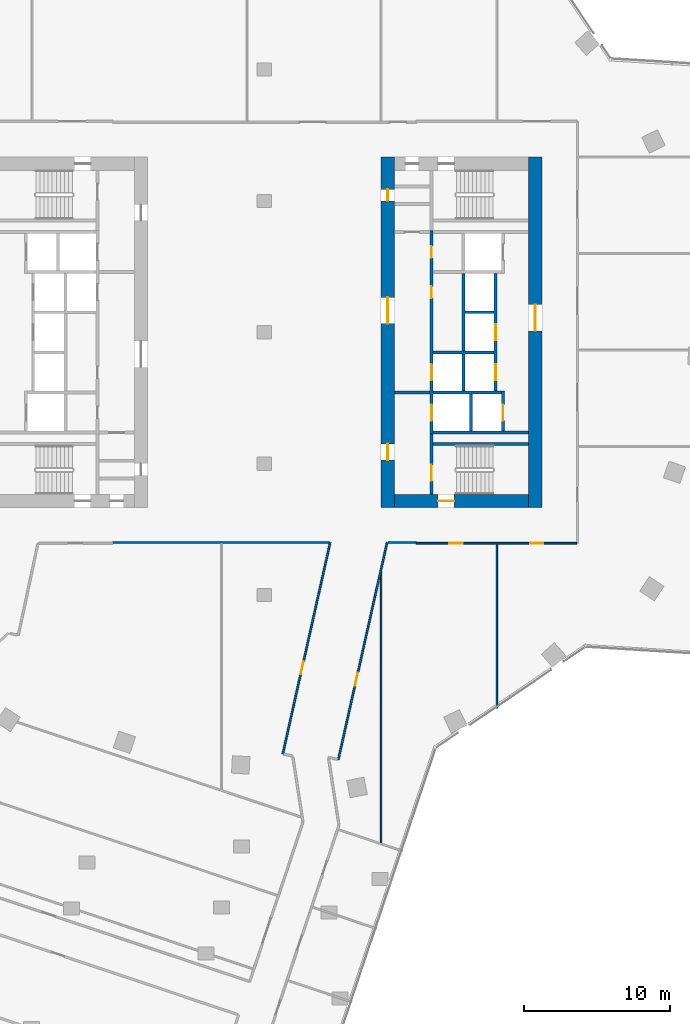
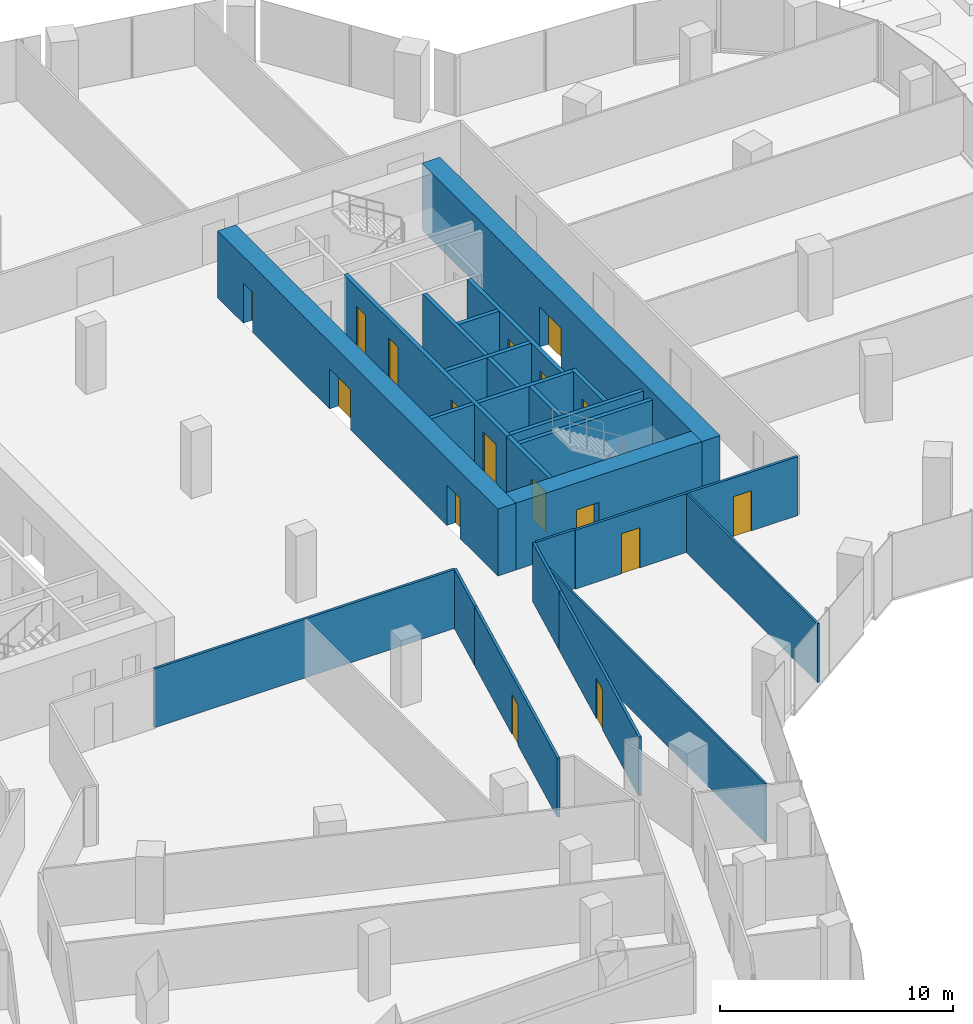
# One storey, part 21 of 26: 25 walls, 17 doors, 17 openings.
"""IFC4 building model written with IfcOpenShell, lengths in metres."""

from ifc_helpers import new_model, si_unit, direction, frame, frame_2d, origin, place, context, subcontext, project, spatial, rectangle, extrude, material, layer, layer_set, type_object, element, fill, save


model = new_model("IFC4")

# Units and contexts
model_context = context("Model", 3, precision=1e-05, world=origin(), true_north=direction((0.0, 1.0)))
body_context = subcontext(model_context, "Body", "Model", "MODEL_VIEW")
ifc_project = project(units=[si_unit("LENGTHUNIT", "METRE"), si_unit("AREAUNIT", "SQUARE_METRE"), si_unit("VOLUMEUNIT", "CUBIC_METRE"), si_unit("PLANEANGLEUNIT", "RADIAN"), si_unit("MASSUNIT", "GRAM", prefix="KILO")], contexts=[model_context])

# Site, building, storey
site_placement = place(None, origin())
site = spatial("IfcSite", under=ifc_project, at=site_placement, CompositionType="ELEMENT")
building_placement = place(site_placement, origin())
building = spatial("IfcBuilding", under=site, at=building_placement, Name="Orlundy Tower", CompositionType="ELEMENT")
storey_placement = place(building_placement, frame((0.0, 0.0, 156.10009765625)))
storey = spatial("IfcBuildingStorey", under=building, at=storey_placement, Name="L40", CompositionType="ELEMENT", Elevation=156.10009765625)

# Wall, opening, door
ifc_material_1 = material(Name="Concrete C70/85", Category="concrete")
ifc_layer_1 = layer(ifc_material_1, 0.89990234375)
ifc_layer_set_1 = layer_set([ifc_layer_1], Name="CORE WALL 900 C70/85")
wall_type_1 = type_object("IfcWallType", Name="CORE WALL 900 C70/85", PredefinedType="SHEAR", material=ifc_layer_set_1)
wall_1_placement = place(storey_placement, frame((8.89990234375, -11.550048828125, 0.0), z_axis=(0.0, 0.0, 1.0), x_axis=(1.0, 0.0, 0.0)))
wall_1 = element("IfcWall", 1, at=wall_1_placement, inside=storey, type_object=wall_type_1, Name="Core wall E-S L40", PredefinedType="SHEAR", context=body_context, shape_type="SweptSolid", body=[
    extrude(rectangle(XDim=9.2001953125, YDim=0.89990234375, at=frame_2d((4.60009765625, 0.0))), origin(), (0.0, 0.0, 1.0), 3.5),
])
opening_1_placement = place(wall_1_placement, frame((3.0, 0.0, 0.0)))
opening_1 = element("IfcOpeningElement", 2, at=opening_1_placement, cuts=wall_1, Name="Opening 31061", PredefinedType="OPENING", context=body_context, shape_type="SweptSolid", body=[
    extrude(rectangle(XDim=1.10009765625, YDim=2.10009765625, at=frame_2d((0.550048828125, 1.050048828125))), frame((0.0, 0.4599609375, 0.0), z_axis=(0.0, -1.0, 0.0), x_axis=(1.0, 0.0, 0.0)), (0.0, 0.0, 1.0), 0.919921875),
])
ifc_material_2 = material(Name="Steel door set", Category="steel")
door_type_1 = type_object("IfcDoorType", Name="Stair Door 1100x2100", OperationType="SINGLE_SWING_LEFT", PredefinedType="DOOR", material=ifc_material_2)
door_1_placement = place(opening_1_placement, origin())
door_1 = element("IfcDoor", 3, at=door_1_placement, inside=storey, type_object=door_type_1, Name="Stair door 31061", OperationType="SINGLE_SWING_LEFT", OverallHeight=2.10009765625, OverallWidth=1.10009765625, PredefinedType="DOOR", context=body_context, shape_type="SweptSolid", body=[
    extrude(rectangle(XDim=1.10009765625, YDim=2.10009765625, at=frame_2d((0.550048828125, 1.050048828125))), frame((0.0, 0.02490234375, 0.0), z_axis=(0.0, -1.0, 0.0), x_axis=(1.0, 0.0, 0.0)), (0.0, 0.0, 1.0), 0.050048828125),
])
fill(opening_1, door_1)

# Wall, openings, doors
wall_2_placement = place(storey_placement, frame((8.449951171875, -12.0, 0.0), z_axis=(0.0, 0.0, 1.0), x_axis=(0.0, 1.0, 0.0)))
wall_2 = element("IfcWall", 4, at=wall_2_placement, inside=storey, type_object=wall_type_1, Name="Core wall E-W L40", PredefinedType="SHEAR", context=body_context, shape_type="SweptSolid", body=[
    extrude(rectangle(XDim=24.0, YDim=0.89990234375, at=frame_2d((12.0, 0.0))), origin(), (0.0, 0.0, 1.0), 3.5),
])
opening_2_placement = place(wall_2_placement, frame((12.60009765625, 0.0, 0.0)))
opening_2 = element("IfcOpeningElement", 5, at=opening_2_placement, cuts=wall_2, Name="Opening 31058", PredefinedType="OPENING", context=body_context, shape_type="SweptSolid", body=[
    extrude(rectangle(XDim=1.800048828125, YDim=2.10009765625, at=frame_2d((0.89990234375, 1.050048828125))), frame((0.0, 0.4599609375, 0.0), z_axis=(0.0, -1.0, 0.0), x_axis=(1.0, 0.0, 0.0)), (0.0, 0.0, 1.0), 0.919921875),
])
opening_3_placement = place(wall_2_placement, frame((3.25, 0.0, 0.0)))
opening_3 = element("IfcOpeningElement", 6, at=opening_3_placement, cuts=wall_2, Name="Opening 31060", PredefinedType="OPENING", context=body_context, shape_type="SweptSolid", body=[
    extrude(rectangle(XDim=1.10009765625, YDim=2.10009765625, at=frame_2d((0.550048828125, 1.050048828125))), frame((0.0, 0.4599609375, 0.0), z_axis=(0.0, -1.0, 0.0), x_axis=(1.0, 0.0, 0.0)), (0.0, 0.0, 1.0), 0.919921875),
])
opening_4_placement = place(wall_2_placement, frame((21.0, 0.0, 0.0)))
opening_4 = element("IfcOpeningElement", 7, at=opening_4_placement, cuts=wall_2, Name="Opening 31065", PredefinedType="OPENING", context=body_context, shape_type="SweptSolid", body=[
    extrude(rectangle(XDim=0.800048828125, YDim=2.10009765625, at=frame_2d((0.39990234375, 1.050048828125))), frame((0.0, 0.4599609375, 0.0), z_axis=(0.0, -1.0, 0.0), x_axis=(1.0, 0.0, 0.0)), (0.0, 0.0, 1.0), 0.919921875),
])
ifc_material_3 = material(Name="Steel door set", Category="steel")
door_type_2 = type_object("IfcDoorType", Name="Fire-fighting Lobby Door 1100x2100", OperationType="SINGLE_SWING_LEFT", PredefinedType="DOOR", material=ifc_material_3)
door_2_placement = place(opening_3_placement, origin())
door_2 = element("IfcDoor", 8, at=door_2_placement, inside=storey, type_object=door_type_2, Name="Fire-fighting lobby door 31060", OperationType="SINGLE_SWING_LEFT", OverallHeight=2.10009765625, OverallWidth=1.10009765625, PredefinedType="DOOR", context=body_context, shape_type="SweptSolid", body=[
    extrude(rectangle(XDim=1.10009765625, YDim=2.10009765625, at=frame_2d((0.550048828125, 1.050048828125))), frame((0.0, 0.02490234375, 0.0), z_axis=(0.0, -1.0, 0.0), x_axis=(1.0, 0.0, 0.0)), (0.0, 0.0, 1.0), 0.050048828125),
])
fill(opening_3, door_2)
ifc_material_4 = material(Name="Timber door set", Category="wood")
door_type_3 = type_object("IfcDoorType", Name="Lobby Door 1800x2100", OperationType="DOUBLE_DOOR_DOUBLE_SWING", PredefinedType="DOOR", material=ifc_material_4)
door_3_placement = place(opening_2_placement, origin())
door_3 = element("IfcDoor", 9, at=door_3_placement, inside=storey, type_object=door_type_3, Name="Lift lobby door 31058", OperationType="SINGLE_SWING_RIGHT", OverallHeight=2.10009765625, OverallWidth=1.800048828125, PredefinedType="DOOR", context=body_context, shape_type="SweptSolid", body=[
    extrude(rectangle(XDim=1.800048828125, YDim=2.10009765625, at=frame_2d((0.89990234375, 1.050048828125))), frame((0.0, 0.02490234375, 0.0), z_axis=(0.0, -1.0, 0.0), x_axis=(1.0, 0.0, 0.0)), (0.0, 0.0, 1.0), 0.050048828125),
])
fill(opening_2, door_3)
ifc_material_5 = material(Name="Timber door set", Category="wood")
door_type_4 = type_object("IfcDoorType", Name="Riser Door 800x2100", OperationType="SINGLE_SWING_LEFT", PredefinedType="DOOR", material=ifc_material_5)
door_4_placement = place(opening_4_placement, origin())
door_4 = element("IfcDoor", 10, at=door_4_placement, inside=storey, type_object=door_type_4, Name="Door 31065", OperationType="SINGLE_SWING_RIGHT", OverallHeight=2.10009765625, OverallWidth=0.800048828125, PredefinedType="DOOR", context=body_context, shape_type="SweptSolid", body=[
    extrude(rectangle(XDim=0.800048828125, YDim=2.10009765625, at=frame_2d((0.39990234375, 1.050048828125))), frame((0.0, 0.02490234375, 0.0), z_axis=(0.0, -1.0, 0.0), x_axis=(1.0, 0.0, 0.0)), (0.0, 0.0, 1.0), 0.050048828125),
])
fill(opening_4, door_4)

# Wall, opening, door
wall_3_placement = place(storey_placement, frame((18.550048828125, -12.0, 0.0), z_axis=(0.0, 0.0, 1.0), x_axis=(0.0, 1.0, 0.0)))
wall_3 = element("IfcWall", 11, at=wall_3_placement, inside=storey, type_object=wall_type_1, Name="Core wall E-E L40", PredefinedType="SHEAR", context=body_context, shape_type="SweptSolid", body=[
    extrude(rectangle(XDim=24.0, YDim=0.89990234375, at=frame_2d((12.0, 0.0))), origin(), (0.0, 0.0, 1.0), 3.5),
])
opening_5_placement = place(wall_3_placement, frame((12.10009765625, 0.0, 0.0)))
opening_5 = element("IfcOpeningElement", 12, at=opening_5_placement, cuts=wall_3, Name="Opening 31059", PredefinedType="OPENING", context=body_context, shape_type="SweptSolid", body=[
    extrude(rectangle(XDim=1.800048828125, YDim=2.10009765625, at=frame_2d((0.89990234375, 1.050048828125))), frame((0.0, 0.4599609375, 0.0), z_axis=(0.0, -1.0, 0.0), x_axis=(1.0, 0.0, 0.0)), (0.0, 0.0, 1.0), 0.919921875),
])
door_5_placement = place(opening_5_placement, origin())
door_5 = element("IfcDoor", 13, at=door_5_placement, inside=storey, type_object=door_type_3, Name="Lift lobby door 31059", OperationType="SINGLE_SWING_RIGHT", OverallHeight=2.10009765625, OverallWidth=1.800048828125, PredefinedType="DOOR", context=body_context, shape_type="SweptSolid", body=[
    extrude(rectangle(XDim=1.800048828125, YDim=2.10009765625, at=frame_2d((0.89990234375, 1.050048828125))), frame((0.0, 0.02490234375, 0.0), z_axis=(0.0, -1.0, 0.0), x_axis=(1.0, 0.0, 0.0)), (0.0, 0.0, 1.0), 0.050048828125),
])
fill(opening_5, door_5)

# Walls
ifc_material_6 = material(Name="Gypsum board partition")
ifc_layer_2 = layer(ifc_material_6, 0.10009765625)
ifc_layer_set_2 = layer_set([ifc_layer_2], Name="Floor partition 100")
wall_type_2 = type_object("IfcWallType", Name="Floor partition 100", PredefinedType="PARTITIONING", material=ifc_layer_set_2)
wall_4_placement = place(storey_placement, frame((15.9208984375, -25.7490234375, 0.0), z_axis=(0.0, 0.0, 1.0), x_axis=(0.0, 1.0, 0.0)))
element("IfcWall", 14, at=wall_4_placement, inside=storey, type_object=wall_type_2, Name="wall-int-L40-063", PredefinedType="PARTITIONING", context=body_context, shape_type="SweptSolid", body=[
    extrude(rectangle(XDim=11.235107421875, YDim=0.10009765625, at=frame_2d((5.61767578125, 0.0))), origin(), (0.0, 0.0, 1.0), 3.079833984375),
])
wall_5_placement = place(storey_placement, frame((8.0, -34.97412109375, 0.0), z_axis=(0.0, 0.0, 1.0), x_axis=(0.0, 1.0, 0.0)))
element("IfcWall", 15, at=wall_5_placement, inside=storey, type_object=wall_type_2, Name="wall-int-L40-065", PredefinedType="PARTITIONING", context=body_context, shape_type="SweptSolid", body=[
    extrude(rectangle(XDim=18.72412109375, YDim=0.10009765625, at=frame_2d((9.362060546875, 0.0))), origin(), (0.0, 0.0, 1.0), 3.079833984375),
])

# Wall, openings, doors
ifc_material_7 = material(Name="Gypsum board partition, double layer")
ifc_layer_3 = layer(ifc_material_7, 0.125)
ifc_layer_set_3 = layer_set([ifc_layer_3], Name="Floor partition 125")
wall_type_3 = type_object("IfcWallType", Name="Floor partition 125", PredefinedType="PARTITIONING", material=ifc_layer_set_3)
wall_6_placement = place(storey_placement, frame((21.386962890625, -14.450927734375, 0.0), z_axis=(0.0, 0.0, 1.0), x_axis=(-1.0, 0.0, 0.0)))
wall_6 = element("IfcWall", 16, at=wall_6_placement, inside=storey, type_object=wall_type_3, Name="wall-int-L40-026", PredefinedType="PARTITIONING", context=body_context, shape_type="SweptSolid", body=[
    extrude(rectangle(XDim=10.995849609375, YDim=0.125, at=frame_2d((5.498046875, 0.0))), origin(), (0.0, 0.0, 1.0), 3.079833984375),
])
opening_6_placement = place(wall_6_placement, frame((7.81640625, 0.0, 0.0)))
opening_6 = element("IfcOpeningElement", 17, at=opening_6_placement, cuts=wall_6, Name="Opening 31116", PredefinedType="OPENING", context=body_context, shape_type="SweptSolid", body=[
    extrude(rectangle(XDim=0.89990234375, YDim=2.10009765625, at=frame_2d((0.449951171875, 1.050048828125))), frame((0.0, 0.072509765625, 0.0), z_axis=(0.0, -1.0, 0.0), x_axis=(1.0, 0.0, 0.0)), (0.0, 0.0, 1.0), 0.14501953125),
])
opening_7_placement = place(wall_6_placement, frame((2.28759765625, 0.0, 0.0)))
opening_7 = element("IfcOpeningElement", 18, at=opening_7_placement, cuts=wall_6, Name="Opening 31117", PredefinedType="OPENING", context=body_context, shape_type="SweptSolid", body=[
    extrude(rectangle(XDim=0.89990234375, YDim=2.10009765625, at=frame_2d((0.449951171875, 1.050048828125))), frame((0.0, 0.072509765625, 0.0), z_axis=(0.0, -1.0, 0.0), x_axis=(1.0, 0.0, 0.0)), (0.0, 0.0, 1.0), 0.14501953125),
])
ifc_material_8 = material(Name="Timber door leaf", Category="wood")
door_type_5 = type_object("IfcDoorType", Name="Floor door single 900 FD30S", OperationType="NOTDEFINED", PredefinedType="DOOR", material=ifc_material_8)
door_6_placement = place(opening_6_placement, origin())
door_6 = element("IfcDoor", 19, at=door_6_placement, inside=storey, type_object=door_type_5, Name="Door 31116", OperationType="SINGLE_SWING_RIGHT", OverallHeight=2.10009765625, OverallWidth=0.89990234375, PredefinedType="DOOR", context=body_context, shape_type="SweptSolid", body=[
    extrude(rectangle(XDim=0.89990234375, YDim=2.10009765625, at=frame_2d((0.449951171875, 1.050048828125))), frame((0.0, 0.02490234375, 0.0), z_axis=(0.0, -1.0, 0.0), x_axis=(1.0, 0.0, 0.0)), (0.0, 0.0, 1.0), 0.050048828125),
])
fill(opening_6, door_6)
door_7_placement = place(opening_7_placement, origin())
door_7 = element("IfcDoor", 20, at=door_7_placement, inside=storey, type_object=door_type_5, Name="Door 31117", OperationType="SINGLE_SWING_LEFT", OverallHeight=2.10009765625, OverallWidth=0.89990234375, PredefinedType="DOOR", context=body_context, shape_type="SweptSolid", body=[
    extrude(rectangle(XDim=0.89990234375, YDim=2.10009765625, at=frame_2d((0.449951171875, 1.050048828125))), frame((0.0, 0.02490234375, 0.0), z_axis=(0.0, -1.0, 0.0), x_axis=(1.0, 0.0, 0.0)), (0.0, 0.0, 1.0), 0.050048828125),
])
fill(opening_7, door_7)

# Walls
wall_7_placement = place(storey_placement, frame((-10.389892578125, -14.40087890625, 0.0), z_axis=(0.0, 0.0, 1.0), x_axis=(1.0, 0.0, 0.0)))
element("IfcWall", 21, at=wall_7_placement, inside=storey, type_object=wall_type_3, Name="wall-int-L40-027", PredefinedType="PARTITIONING", context=body_context, shape_type="SweptSolid", body=[
    extrude(rectangle(XDim=14.81689453125, YDim=0.125, at=frame_2d((7.408447265625, 0.0))), origin(), (0.0, 0.0, 1.0), 3.079833984375),
])
wall_8_placement = place(storey_placement, frame((8.47900390625, -14.40087890625, 0.0), z_axis=(0.0, 0.0, 1.0), x_axis=(1.0, 0.0, 0.0)))
element("IfcWall", 22, at=wall_8_placement, inside=storey, type_object=wall_type_3, Name="wall-int-L40-028", PredefinedType="PARTITIONING", context=body_context, shape_type="SweptSolid", body=[
    extrude(rectangle(XDim=1.912109375, YDim=0.125, at=frame_2d((0.9560546875, 0.0))), origin(), (0.0, 0.0, 1.0), 3.079833984375),
])
wall_9_placement = place(storey_placement, frame((7.569091796875, -18.10693359375, 0.0), z_axis=(0.0, 0.0, 1.0), x_axis=(0.218992134919, 0.975726624031, 0.0)))
element("IfcWall", 23, at=wall_9_placement, inside=storey, type_object=wall_type_3, Name="wall-int-L40-056", PredefinedType="PARTITIONING", context=body_context, shape_type="SweptSolid", body=[
    extrude(rectangle(XDim=3.79833984375, YDim=0.125, at=frame_2d((1.899169921875, 0.0))), origin(), (0.0, 0.0, 1.0), 3.079833984375),
])
wall_10_placement = place(storey_placement, frame((3.860107421875, -17.27392578125, 0.0), z_axis=(0.0, 0.0, 1.0), x_axis=(0.218975515368, 0.975730353976, 0.0)))
element("IfcWall", 24, at=wall_10_placement, inside=storey, type_object=wall_type_3, Name="wall-int-L40-057", PredefinedType="PARTITIONING", context=body_context, shape_type="SweptSolid", body=[
    extrude(rectangle(XDim=2.944580078125, YDim=0.125, at=frame_2d((1.47216796875, 0.0))), origin(), (0.0, 0.0, 1.0), 3.079833984375),
])

# Wall, opening, door
wall_11_placement = place(storey_placement, frame((7.569091796875, -18.10693359375, 0.0), z_axis=(0.0, 0.0, 1.0), x_axis=(-0.218984023809, -0.975728444454, 0.0)))
wall_11 = element("IfcWall", 25, at=wall_11_placement, inside=storey, type_object=wall_type_3, Name="wall-int-L40-058", PredefinedType="PARTITIONING", context=body_context, shape_type="SweptSolid", body=[
    extrude(rectangle(XDim=11.439697265625, YDim=0.125, at=frame_2d((5.7197265625, 0.0))), origin(), (0.0, 0.0, 1.0), 3.079833984375),
])
opening_8_placement = place(wall_11_placement, frame((5.35009765625, 0.0, 0.0)))
opening_8 = element("IfcOpeningElement", 26, at=opening_8_placement, cuts=wall_11, Name="Opening 31115", PredefinedType="OPENING", context=body_context, shape_type="SweptSolid", body=[
    extrude(rectangle(XDim=0.89990234375, YDim=2.10009765625, at=frame_2d((0.449951171875, 1.050048828125))), frame((0.0, 0.072509765625, 0.0), z_axis=(0.0, -1.0, 0.0), x_axis=(1.0, 0.0, 0.0)), (0.0, 0.0, 1.0), 0.14501953125),
])
door_8_placement = place(opening_8_placement, origin())
door_8 = element("IfcDoor", 27, at=door_8_placement, inside=storey, type_object=door_type_5, Name="Door 31115", OperationType="SINGLE_SWING_RIGHT", OverallHeight=2.10009765625, OverallWidth=0.89990234375, PredefinedType="DOOR", context=body_context, shape_type="SweptSolid", body=[
    extrude(rectangle(XDim=0.89990234375, YDim=2.10009765625, at=frame_2d((0.449951171875, 1.050048828125))), frame((0.0, 0.02490234375, 0.0), z_axis=(0.0, -1.0, 0.0), x_axis=(1.0, 0.0, 0.0)), (0.0, 0.0, 1.0), 0.050048828125),
])
fill(opening_8, door_8)

wall_12_placement = place(storey_placement, frame((1.256103515625, -28.881103515625, 0.0), z_axis=(0.0, 0.0, 1.0), x_axis=(0.218920699835, 0.975742654179, 0.0)))
wall_12 = element("IfcWall", 28, at=wall_12_placement, inside=storey, type_object=wall_type_3, Name="wall-int-L40-059", PredefinedType="PARTITIONING", context=body_context, shape_type="SweptSolid", body=[
    extrude(rectangle(XDim=11.894775390625, YDim=0.125, at=frame_2d((5.947265625, 0.0))), origin(), (0.0, 0.0, 1.0), 3.079833984375),
])
opening_9_placement = place(wall_12_placement, frame((5.60009765625, 0.0, 0.0)))
opening_9 = element("IfcOpeningElement", 29, at=opening_9_placement, cuts=wall_12, Name="Opening 31114", PredefinedType="OPENING", context=body_context, shape_type="SweptSolid", body=[
    extrude(rectangle(XDim=0.89990234375, YDim=2.10009765625, at=frame_2d((0.449951171875, 1.050048828125))), frame((0.0, 0.072509765625, 0.0), z_axis=(0.0, -1.0, 0.0), x_axis=(1.0, 0.0, 0.0)), (0.0, 0.0, 1.0), 0.14501953125),
])
door_9_placement = place(opening_9_placement, origin())
door_9 = element("IfcDoor", 30, at=door_9_placement, inside=storey, type_object=door_type_5, Name="Door 31114", OperationType="SINGLE_SWING_RIGHT", OverallHeight=2.10009765625, OverallWidth=0.89990234375, PredefinedType="DOOR", context=body_context, shape_type="SweptSolid", body=[
    extrude(rectangle(XDim=0.89990234375, YDim=2.10009765625, at=frame_2d((0.449951171875, 1.050048828125))), frame((0.0, 0.02490234375, 0.0), z_axis=(0.0, -1.0, 0.0), x_axis=(1.0, 0.0, 0.0)), (0.0, 0.0, 1.0), 0.050048828125),
])
fill(opening_9, door_9)

ifc_material_9 = material(Name="Concrete C40/50", Category="concrete")
ifc_layer_4 = layer(ifc_material_9, 0.199951171875)
ifc_layer_set_4 = layer_set([ifc_layer_4], Name="Load-bearing Shaft Wall 200")
wall_type_4 = type_object("IfcWallType", Name="Load-bearing Shaft Wall 200", PredefinedType="SOLIDWALL", material=ifc_layer_set_4)
wall_13_placement = place(storey_placement, frame((11.43994140625, -6.97509765625, 0.0), z_axis=(0.0, 0.0, 1.0), x_axis=(0.0, -1.0, 0.0)))
wall_13 = element("IfcWall", 31, at=wall_13_placement, inside=storey, type_object=wall_type_4, Name="Shaft wall E31-stair-end-n", PredefinedType="SOLIDWALL", context=body_context, shape_type="SweptSolid", body=[
    extrude(rectangle(XDim=4.125, YDim=0.199951171875, at=frame_2d((2.0625, 0.0))), origin(), (0.0, 0.0, 1.0), 3.08984375),
])
opening_10_placement = place(wall_13_placement, frame((2.10009765625, 0.0, 0.0)))
opening_10 = element("IfcOpeningElement", 32, at=opening_10_placement, cuts=wall_13, Name="Opening 31063", PredefinedType="OPENING", context=body_context, shape_type="SweptSolid", body=[
    extrude(rectangle(XDim=1.10009765625, YDim=2.10009765625, at=frame_2d((0.550048828125, 1.050048828125))), frame((0.0, 0.110107421875, 0.0), z_axis=(0.0, -1.0, 0.0), x_axis=(1.0, 0.0, 0.0)), (0.0, 0.0, 1.0), 0.22021484375),
])
door_10_placement = place(opening_10_placement, origin())
door_10 = element("IfcDoor", 33, at=door_10_placement, inside=storey, type_object=door_type_2, Name="Fire-fighting lobby to stair door 31063", OperationType="SINGLE_SWING_RIGHT", OverallHeight=2.10009765625, OverallWidth=1.10009765625, PredefinedType="DOOR", context=body_context, shape_type="SweptSolid", body=[
    extrude(rectangle(XDim=1.10009765625, YDim=2.10009765625, at=frame_2d((0.550048828125, 1.050048828125))), frame((0.0, 0.02490234375, 0.0), z_axis=(0.0, -1.0, 0.0), x_axis=(1.0, 0.0, 0.0)), (0.0, 0.0, 1.0), 0.050048828125),
])
fill(opening_10, door_10)

# Walls
wall_14_placement = place(storey_placement, frame((11.5400390625, -7.64990234375, 0.0), z_axis=(0.0, 0.0, 1.0), x_axis=(1.0, 0.0, 0.0)))
element("IfcWall", 34, at=wall_14_placement, inside=storey, type_object=wall_type_4, Name="Shaft wall E31-stair-side-n", PredefinedType="SOLIDWALL", context=body_context, shape_type="SweptSolid", body=[
    extrude(rectangle(XDim=6.56005859375, YDim=0.199951171875, at=frame_2d((3.280029296875, 0.0))), origin(), (0.0, 0.0, 1.0), 3.08984375),
])
ifc_material_10 = material(Name="Gypsum board partition on steel studs", Category="steel")
ifc_layer_5 = layer(ifc_material_10, 0.199951171875)
ifc_layer_set_5 = layer_set([ifc_layer_5], Name="Partition 200")
wall_type_5 = type_object("IfcWallType", Name="Partition 200", PredefinedType="PARTITIONING", material=ifc_layer_set_5)
wall_15_placement = place(storey_placement, frame((8.89990234375, -4.125, 0.0), z_axis=(0.0, 0.0, 1.0), x_axis=(1.0, 0.0, 0.0)))
element("IfcWall", 35, at=wall_15_placement, inside=storey, type_object=wall_type_5, Name="Partition wall E31-lobby-n", PredefinedType="PARTITIONING", context=body_context, shape_type="SweptSolid", body=[
    extrude(rectangle(XDim=2.440185546875, YDim=0.199951171875, at=frame_2d((1.22021484375, 0.0))), origin(), (0.0, 0.0, 1.0), 3.08984375),
])
ifc_material_11 = material(Name="Fire-rated blockwork shaft wall", Category="masonry")
ifc_layer_6 = layer(ifc_material_11, 0.199951171875)
ifc_layer_set_6 = layer_set([ifc_layer_6], Name="Shaft Wall 200")
wall_type_6 = type_object("IfcWallType", Name="Shaft Wall 200", PredefinedType="SOLIDWALL", material=ifc_layer_set_6)
wall_16_placement = place(storey_placement, frame((11.5400390625, -6.875, 0.0), z_axis=(0.0, 0.0, 1.0), x_axis=(1.0, 0.0, 0.0)))
element("IfcWall", 36, at=wall_16_placement, inside=storey, type_object=wall_type_6, Name="Shaft wall E31-zone-n", PredefinedType="SOLIDWALL", context=body_context, shape_type="SweptSolid", body=[
    extrude(rectangle(XDim=6.56005859375, YDim=0.199951171875, at=frame_2d((3.280029296875, 0.0))), origin(), (0.0, 0.0, 1.0), 3.08984375),
])
wall_17_placement = place(storey_placement, frame((13.739990234375, 1.375, 0.0), z_axis=(0.0, 0.0, 1.0), x_axis=(1.0, 0.0, 0.0)))
element("IfcWall", 37, at=wall_17_placement, inside=storey, type_object=wall_type_6, Name="Shaft wall E31-cross-1.375", PredefinedType="SOLIDWALL", context=body_context, shape_type="SweptSolid", body=[
    extrude(rectangle(XDim=2.0, YDim=0.199951171875, at=frame_2d((1.0, 0.0))), origin(), (0.0, 0.0, 1.0), 3.08984375),
])
wall_18_placement = place(storey_placement, frame((11.5400390625, -1.375, 0.0), z_axis=(0.0, 0.0, 1.0), x_axis=(1.0, 0.0, 0.0)))
element("IfcWall", 38, at=wall_18_placement, inside=storey, type_object=wall_type_6, Name="Shaft wall E31-cross+1.375", PredefinedType="SOLIDWALL", context=body_context, shape_type="SweptSolid", body=[
    extrude(rectangle(XDim=4.199951171875, YDim=0.199951171875, at=frame_2d((2.10009765625, 0.0))), origin(), (0.0, 0.0, 1.0), 3.08984375),
])
wall_19_placement = place(storey_placement, frame((11.5400390625, -4.125, 0.0), z_axis=(0.0, 0.0, 1.0), x_axis=(1.0, 0.0, 0.0)))
element("IfcWall", 39, at=wall_19_placement, inside=storey, type_object=wall_type_6, Name="Shaft wall E31-cross+4.125", PredefinedType="SOLIDWALL", context=body_context, shape_type="SweptSolid", body=[
    extrude(rectangle(XDim=4.699951171875, YDim=0.199951171875, at=frame_2d((2.35009765625, 0.0))), origin(), (0.0, 0.0, 1.0), 3.08984375),
])

# Wall, openings, doors
wall_20_placement = place(storey_placement, frame((11.43994140625, 6.97509765625, 0.0), z_axis=(0.0, 0.0, 1.0), x_axis=(0.0, -1.0, 0.0)))
wall_20 = element("IfcWall", 40, at=wall_20_placement, inside=storey, type_object=wall_type_6, Name="Shaft wall E31-front-h", PredefinedType="SOLIDWALL", context=body_context, shape_type="SweptSolid", body=[
    extrude(rectangle(XDim=13.9501953125, YDim=0.199951171875, at=frame_2d((6.97509765625, 0.0))), origin(), (0.0, 0.0, 1.0), 3.08984375),
])
opening_11_placement = place(wall_20_placement, frame((9.175048828125, 0.0, 0.0)))
opening_11 = element("IfcOpeningElement", 41, at=opening_11_placement, cuts=wall_20, Name="Opening 31052", PredefinedType="OPENING", context=body_context, shape_type="SweptSolid", body=[
    extrude(rectangle(XDim=1.10009765625, YDim=2.10009765625, at=frame_2d((0.550048828125, 1.050048828125))), frame((0.0, 0.110107421875, 0.0), z_axis=(0.0, -1.0, 0.0), x_axis=(1.0, 0.0, 0.0)), (0.0, 0.0, 1.0), 0.22021484375),
])
opening_12_placement = place(wall_20_placement, frame((11.925048828125, 0.0, 0.0)))
opening_12 = element("IfcOpeningElement", 42, at=opening_12_placement, cuts=wall_20, Name="Opening 31054", PredefinedType="OPENING", context=body_context, shape_type="SweptSolid", body=[
    extrude(rectangle(XDim=1.10009765625, YDim=2.10009765625, at=frame_2d((0.550048828125, 1.050048828125))), frame((0.0, 0.110107421875, 0.0), z_axis=(0.0, -1.0, 0.0), x_axis=(1.0, 0.0, 0.0)), (0.0, 0.0, 1.0), 0.22021484375),
])
opening_13_placement = place(wall_20_placement, frame((1.074951171875, 0.0, 0.0)))
opening_13 = element("IfcOpeningElement", 43, at=opening_13_placement, cuts=wall_20, Name="Opening 31056", PredefinedType="OPENING", context=body_context, shape_type="SweptSolid", body=[
    extrude(rectangle(XDim=0.800048828125, YDim=2.10009765625, at=frame_2d((0.39990234375, 1.050048828125))), frame((0.0, 0.110107421875, 0.0), z_axis=(0.0, -1.0, 0.0), x_axis=(1.0, 0.0, 0.0)), (0.0, 0.0, 1.0), 0.22021484375),
])
opening_14_placement = place(wall_20_placement, frame((3.824951171875, 0.0, 0.0)))
opening_14 = element("IfcOpeningElement", 44, at=opening_14_placement, cuts=wall_20, Name="Opening 31057", PredefinedType="OPENING", context=body_context, shape_type="SweptSolid", body=[
    extrude(rectangle(XDim=0.800048828125, YDim=2.10009765625, at=frame_2d((0.39990234375, 1.050048828125))), frame((0.0, 0.110107421875, 0.0), z_axis=(0.0, -1.0, 0.0), x_axis=(1.0, 0.0, 0.0)), (0.0, 0.0, 1.0), 0.22021484375),
])
ifc_material_12 = material(Name="Steel door set", Category="steel")
door_type_6 = type_object("IfcDoorType", Name="Landing Door 1100x2100", OperationType="DOUBLE_DOOR_SLIDING", PredefinedType="DOOR", material=ifc_material_12)
door_11_placement = place(opening_11_placement, origin())
door_11 = element("IfcDoor", 45, at=door_11_placement, inside=storey, type_object=door_type_6, Name="Lift landing door LP-16 31052", OperationType="DOUBLE_DOOR_SLIDING", OverallHeight=2.10009765625, OverallWidth=1.10009765625, PredefinedType="DOOR", context=body_context, shape_type="SweptSolid", body=[
    extrude(rectangle(XDim=1.10009765625, YDim=2.10009765625, at=frame_2d((0.550048828125, 1.050048828125))), frame((0.0, 0.02490234375, 0.0), z_axis=(0.0, -1.0, 0.0), x_axis=(1.0, 0.0, 0.0)), (0.0, 0.0, 1.0), 0.050048828125),
])
fill(opening_11, door_11)
door_12_placement = place(opening_12_placement, origin())
door_12 = element("IfcDoor", 46, at=door_12_placement, inside=storey, type_object=door_type_6, Name="Lift landing door FL2 31054", OperationType="DOUBLE_DOOR_SLIDING", OverallHeight=2.10009765625, OverallWidth=1.10009765625, PredefinedType="DOOR", context=body_context, shape_type="SweptSolid", body=[
    extrude(rectangle(XDim=1.10009765625, YDim=2.10009765625, at=frame_2d((0.550048828125, 1.050048828125))), frame((0.0, 0.02490234375, 0.0), z_axis=(0.0, -1.0, 0.0), x_axis=(1.0, 0.0, 0.0)), (0.0, 0.0, 1.0), 0.050048828125),
])
fill(opening_12, door_12)
door_13_placement = place(opening_13_placement, origin())
door_13 = element("IfcDoor", 47, at=door_13_placement, inside=storey, type_object=door_type_4, Name="Pantry Store door 31056", OperationType="SINGLE_SWING_LEFT", OverallHeight=2.10009765625, OverallWidth=0.800048828125, PredefinedType="DOOR", context=body_context, shape_type="SweptSolid", body=[
    extrude(rectangle(XDim=0.800048828125, YDim=2.10009765625, at=frame_2d((0.39990234375, 1.050048828125))), frame((0.0, 0.02490234375, 0.0), z_axis=(0.0, -1.0, 0.0), x_axis=(1.0, 0.0, 0.0)), (0.0, 0.0, 1.0), 0.050048828125),
])
fill(opening_13, door_13)
door_14_placement = place(opening_14_placement, origin())
door_14 = element("IfcDoor", 48, at=door_14_placement, inside=storey, type_object=door_type_4, Name="AV Store door 31057", OperationType="SINGLE_SWING_LEFT", OverallHeight=2.10009765625, OverallWidth=0.800048828125, PredefinedType="DOOR", context=body_context, shape_type="SweptSolid", body=[
    extrude(rectangle(XDim=0.800048828125, YDim=2.10009765625, at=frame_2d((0.39990234375, 1.050048828125))), frame((0.0, 0.02490234375, 0.0), z_axis=(0.0, -1.0, 0.0), x_axis=(1.0, 0.0, 0.0)), (0.0, 0.0, 1.0), 0.050048828125),
])
fill(opening_14, door_14)

# Walls
wall_21_placement = place(storey_placement, frame((13.639892578125, 4.02490234375, 0.0), z_axis=(0.0, 0.0, 1.0), x_axis=(0.0, -1.0, 0.0)))
element("IfcWall", 49, at=wall_21_placement, inside=storey, type_object=wall_type_6, Name="Shaft wall E31-mid-a.1", PredefinedType="SOLIDWALL", context=body_context, shape_type="SweptSolid", body=[
    extrude(rectangle(XDim=5.2998046875, YDim=0.199951171875, at=frame_2d((2.64990234375, 0.0))), origin(), (0.0, 0.0, 1.0), 3.08984375),
])
for number, where, z_axis, x_axis, name in (
    (50, (13.639892578125, -1.47509765625, 0.0), (0.0, 0.0, 1.0), (0.0, -1.0, 0.0), "Shaft wall E31-mid-a.2"),
    (51, (14.139892578125, -4.22509765625, 0.0), (0.0, 0.0, 1.0), (0.0, -1.0, 0.0), "Shaft wall E31-mid-b"),
):
    element("IfcWall", number, at=place(storey_placement, frame(where, z_axis=z_axis, x_axis=x_axis)), inside=storey, type_object=wall_type_6, Name=name, PredefinedType="SOLIDWALL", context=body_context, shape_type="SweptSolid", body=[
        extrude(rectangle(XDim=2.5498046875, YDim=0.199951171875, at=frame_2d((1.27490234375, 0.0))), origin(), (0.0, 0.0, 1.0), 3.08984375),
    ])

# Wall, openings, doors
wall_22_placement = place(storey_placement, frame((15.840087890625, 4.02490234375, 0.0), z_axis=(0.0, 0.0, 1.0), x_axis=(0.0, -1.0, 0.0)))
wall_22 = element("IfcWall", 52, at=wall_22_placement, inside=storey, type_object=wall_type_6, Name="Shaft wall E31-front-o-b", PredefinedType="SOLIDWALL", context=body_context, shape_type="SweptSolid", body=[
    extrude(rectangle(XDim=8.0498046875, YDim=0.199951171875, at=frame_2d((4.02490234375, 0.0))), origin(), (0.0, 0.0, 1.0), 3.08984375),
])
opening_15_placement = place(wall_22_placement, frame((3.47509765625, 0.0, 0.0)))
opening_15 = element("IfcOpeningElement", 53, at=opening_15_placement, cuts=wall_22, Name="Opening 31051", PredefinedType="OPENING", context=body_context, shape_type="SweptSolid", body=[
    extrude(rectangle(XDim=1.10009765625, YDim=2.10009765625, at=frame_2d((0.550048828125, 1.050048828125))), frame((0.0, 0.110107421875, 0.0), z_axis=(0.0, -1.0, 0.0), x_axis=(1.0, 0.0, 0.0)), (0.0, 0.0, 1.0), 0.22021484375),
])
opening_16_placement = place(wall_22_placement, frame((6.22509765625, 0.0, 0.0)))
opening_16 = element("IfcOpeningElement", 54, at=opening_16_placement, cuts=wall_22, Name="Opening 31053", PredefinedType="OPENING", context=body_context, shape_type="SweptSolid", body=[
    extrude(rectangle(XDim=1.10009765625, YDim=2.10009765625, at=frame_2d((0.550048828125, 1.050048828125))), frame((0.0, 0.110107421875, 0.0), z_axis=(0.0, -1.0, 0.0), x_axis=(1.0, 0.0, 0.0)), (0.0, 0.0, 1.0), 0.22021484375),
])
door_15_placement = place(opening_15_placement, origin())
door_15 = element("IfcDoor", 55, at=door_15_placement, inside=storey, type_object=door_type_6, Name="Lift landing door LP-15 31051", OperationType="DOUBLE_DOOR_SLIDING", OverallHeight=2.10009765625, OverallWidth=1.10009765625, PredefinedType="DOOR", context=body_context, shape_type="SweptSolid", body=[
    extrude(rectangle(XDim=1.10009765625, YDim=2.10009765625, at=frame_2d((0.550048828125, 1.050048828125))), frame((0.0, 0.02490234375, 0.0), z_axis=(0.0, -1.0, 0.0), x_axis=(1.0, 0.0, 0.0)), (0.0, 0.0, 1.0), 0.050048828125),
])
fill(opening_15, door_15)
door_16_placement = place(opening_16_placement, origin())
door_16 = element("IfcDoor", 56, at=door_16_placement, inside=storey, type_object=door_type_6, Name="Lift landing door LP-17 31053", OperationType="DOUBLE_DOOR_SLIDING", OverallHeight=2.10009765625, OverallWidth=1.10009765625, PredefinedType="DOOR", context=body_context, shape_type="SweptSolid", body=[
    extrude(rectangle(XDim=1.10009765625, YDim=2.10009765625, at=frame_2d((0.550048828125, 1.050048828125))), frame((0.0, 0.02490234375, 0.0), z_axis=(0.0, -1.0, 0.0), x_axis=(1.0, 0.0, 0.0)), (0.0, 0.0, 1.0), 0.050048828125),
])
fill(opening_16, door_16)

# Wall, opening, door
wall_23_placement = place(storey_placement, frame((16.340087890625, -4.02490234375, 0.0), z_axis=(0.0, 0.0, 1.0), x_axis=(0.0, -1.0, 0.0)))
wall_23 = element("IfcWall", 57, at=wall_23_placement, inside=storey, type_object=wall_type_6, Name="Shaft wall E31-front-o-c", PredefinedType="SOLIDWALL", context=body_context, shape_type="SweptSolid", body=[
    extrude(rectangle(XDim=2.75, YDim=0.199951171875, at=frame_2d((1.375, 0.0))), origin(), (0.0, 0.0, 1.0), 3.08984375),
])
opening_17_placement = place(wall_23_placement, frame((0.925048828125, 0.0, 0.0)))
opening_17 = element("IfcOpeningElement", 58, at=opening_17_placement, cuts=wall_23, Name="Opening 31055", PredefinedType="OPENING", context=body_context, shape_type="SweptSolid", body=[
    extrude(rectangle(XDim=1.10009765625, YDim=2.10009765625, at=frame_2d((0.550048828125, 1.050048828125))), frame((0.0, 0.110107421875, 0.0), z_axis=(0.0, -1.0, 0.0), x_axis=(1.0, 0.0, 0.0)), (0.0, 0.0, 1.0), 0.22021484375),
])
door_17_placement = place(opening_17_placement, origin())
door_17 = element("IfcDoor", 59, at=door_17_placement, inside=storey, type_object=door_type_6, Name="Lift landing door LP-18 31055", OperationType="DOUBLE_DOOR_SLIDING", OverallHeight=2.10009765625, OverallWidth=1.10009765625, PredefinedType="DOOR", context=body_context, shape_type="SweptSolid", body=[
    extrude(rectangle(XDim=1.10009765625, YDim=2.10009765625, at=frame_2d((0.550048828125, 1.050048828125))), frame((0.0, 0.02490234375, 0.0), z_axis=(0.0, -1.0, 0.0), x_axis=(1.0, 0.0, 0.0)), (0.0, 0.0, 1.0), 0.050048828125),
])
fill(opening_17, door_17)

save(model, "model.ifc")
